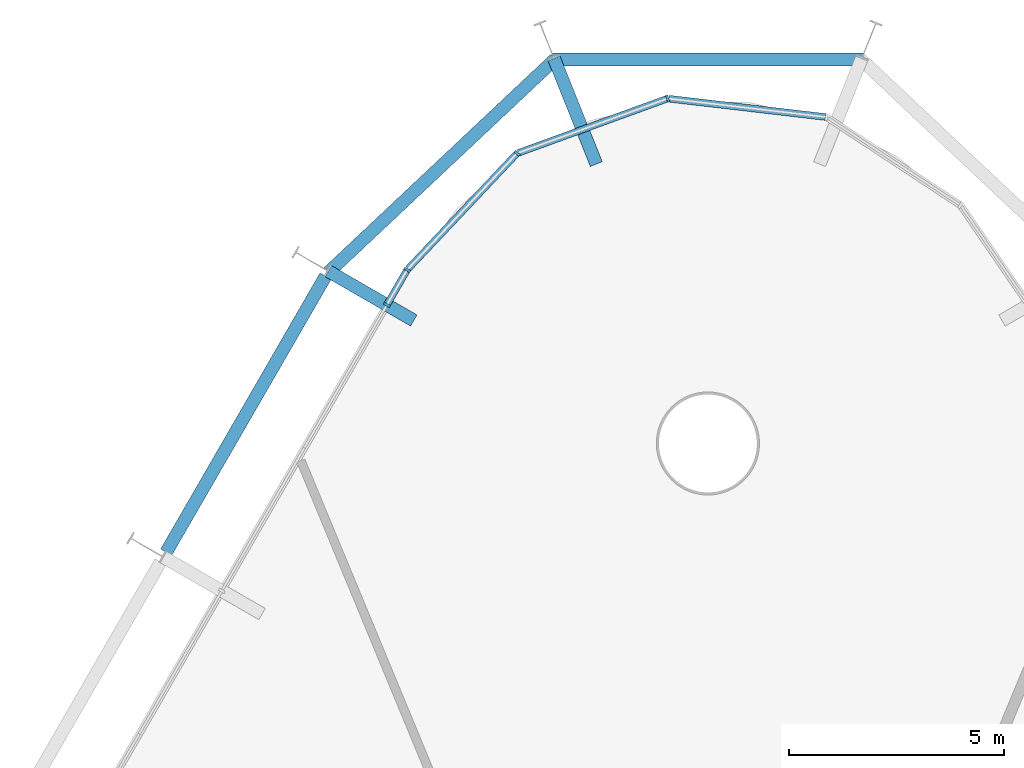
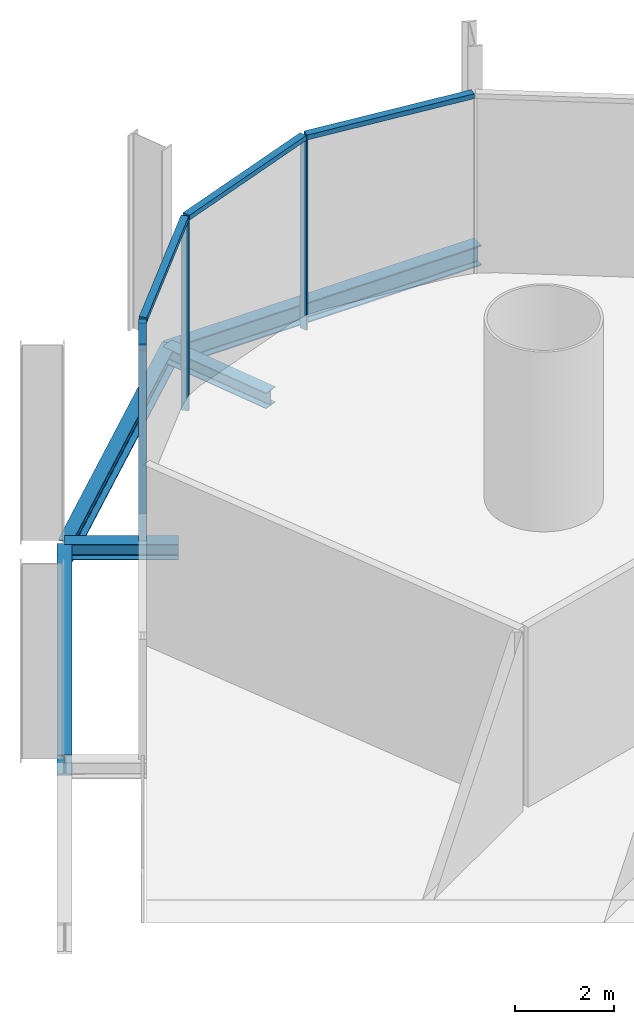
# One storey, part 9 of 17: 8 members, 5 beams, 2 elements without a shape of their own.
"""IFC4 building model written with IfcOpenShell, lengths in metres."""

from ifc_helpers import new_model, si_unit, direction, frame, origin, origin_2d, place, context, subcontext, project, spatial, rectangle, i_section, extrude, material, layer, layer_set, material_profile, profile_set, type_object, element, aggregate, save


model = new_model("IFC4")

# Units and contexts
model_context = context("Model", 3, precision=1e-05, world=origin(), true_north=direction((0.0, 1.0)))
body_context = subcontext(model_context, "Body", "Model", "MODEL_VIEW")
ifc_project = project(units=[si_unit("LENGTHUNIT", "METRE"), si_unit("AREAUNIT", "SQUARE_METRE"), si_unit("VOLUMEUNIT", "CUBIC_METRE"), si_unit("PLANEANGLEUNIT", "RADIAN"), si_unit("MASSUNIT", "GRAM", prefix="KILO")], contexts=[model_context])

# Site, building, storey
site_placement = place(None, origin())
site = spatial("IfcSite", under=ifc_project, at=site_placement, CompositionType="ELEMENT")
building_placement = place(site_placement, origin())
building = spatial("IfcBuilding", under=site, at=building_placement, Name="Spindle Arch Residences", CompositionType="ELEMENT")
storey_placement = place(building_placement, frame((0.0, 0.0, 13.800048828125)))
storey = spatial("IfcBuildingStorey", under=building, at=storey_placement, Name="L02", CompositionType="ELEMENT", Elevation=13.800048828125)

# Curtain wall, members
ifc_material_1 = material(Name="Aluminium bronze unitised frame with tinted glass", Category="aluminium")
ifc_layer_1 = layer(ifc_material_1, 0.159912109375)
ifc_layer_set_1 = layer_set([ifc_layer_1], Name="CW-D corner wall on the fillet arcs")
curtain_wall_type_1 = type_object("IfcCurtainWallType", Name="CW-D corner wall on the fillet arcs", PredefinedType="NOTDEFINED", material=ifc_layer_set_1)
curtain_wall_1_placement = place(storey_placement, origin())
curtain_wall_1 = element("IfcCurtainWall", 1, at=curtain_wall_1_placement, inside=storey, type_object=curtain_wall_type_1, Name="CW-D L02 run 3", PredefinedType="NOTDEFINED")
ifc_material_2 = material(Name="Aluminium bronze anodised mullion", Category="aluminium")
ifc_material_profile_1 = material_profile(ifc_material_2, rectangle(XDim=0.159912109375, YDim=0.06005859375, at=origin_2d()), Name="MU 60x160")
ifc_profile_set_1 = profile_set([ifc_material_profile_1], Name="Aluminium bronze anodised mullion")
member_type_1 = type_object("IfcMemberType", Name="Bronze mullion 60x160", PredefinedType="MULLION", material=ifc_profile_set_1)
member_1_placement = place(storey_placement, frame((-0.93798828125, 31.28515625, -0.380126953125), z_axis=(0.0, 0.0, 1.0), x_axis=(0.342020141538, -0.939692621437, 0.0)))
member_1 = element("IfcMember", 2, at=member_1_placement, type_object=member_type_1, Name="CW-D mullion 03", PredefinedType="MULLION", context=body_context, shape_type="SweptSolid", body=[
    extrude(rectangle(XDim=0.159912109375, YDim=0.06005859375, at=origin_2d()), origin(), (0.0, 0.0, 1.0), 4.68017578125),
])
member_2_placement = place(storey_placement, frame((-4.43994140625, 30.010498046875, -0.380126953125), z_axis=(0.0, 0.0, 1.0), x_axis=(0.727373640284, -0.686241639236, 0.0)))
member_2 = element("IfcMember", 3, at=member_2_placement, type_object=member_type_1, Name="CW-D mullion 04", PredefinedType="MULLION", context=body_context, shape_type="SweptSolid", body=[
    extrude(rectangle(XDim=0.159912109375, YDim=0.06005859375, at=origin_2d()), origin(), (0.0, 0.0, 1.0), 4.68017578125),
])
member_3_placement = place(storey_placement, frame((-6.99755859375, 27.2998046875, -0.380126953125), z_axis=(0.0, 0.0, 1.0), x_axis=(0.866025403784, -0.5, 0.0)))
member_3 = element("IfcMember", 4, at=member_3_placement, type_object=member_type_1, Name="CW-D mullion 05", PredefinedType="MULLION", context=body_context, shape_type="SweptSolid", body=[
    extrude(rectangle(XDim=0.159912109375, YDim=0.06005859375, at=origin_2d()), origin(), (0.0, 0.0, 1.0), 4.68017578125),
])

# Curtain wall, member
ifc_material_3 = material(Name="Aluminium bronze unitised frame with tinted glass", Category="aluminium")
ifc_layer_2 = layer(ifc_material_3, 0.159912109375)
ifc_layer_set_2 = layer_set([ifc_layer_2], Name="CW-B amenity podium glazed wall")
curtain_wall_type_2 = type_object("IfcCurtainWallType", Name="CW-B amenity podium glazed wall", PredefinedType="NOTDEFINED", material=ifc_layer_set_2)
curtain_wall_2_placement = place(storey_placement, origin())
curtain_wall_2 = element("IfcCurtainWall", 5, at=curtain_wall_2_placement, inside=storey, type_object=curtain_wall_type_2, Name="CW-B L02 run 4", PredefinedType="NOTDEFINED")
member_4_placement = place(storey_placement, frame((-7.46923828125, 26.48291015625, -0.380126953125), z_axis=(0.0, 0.0, 1.0), x_axis=(0.866025403784, -0.5, 0.0)))
member_4 = element("IfcMember", 6, at=member_4_placement, type_object=member_type_1, Name="CW-B mullion 13", PredefinedType="MULLION", context=body_context, shape_type="SweptSolid", body=[
    extrude(rectangle(XDim=0.159912109375, YDim=0.06005859375, at=origin_2d()), origin(), (0.0, 0.0, 1.0), 4.68017578125),
])
aggregate(curtain_wall_2, [member_4])

# Member
ifc_material_4 = material(Name="Aluminium bronze anodised transom", Category="aluminium")
ifc_material_profile_2 = material_profile(ifc_material_4, rectangle(XDim=0.159912109375, YDim=0.1201171875, at=origin_2d()), Name="TR 120x160")
ifc_profile_set_2 = profile_set([ifc_material_profile_2], Name="Aluminium bronze anodised transom")
member_type_2 = type_object("IfcMemberType", Name="Bronze transom 120x160", PredefinedType="USERDEFINED", material=ifc_profile_set_2)
member_5_placement = place(storey_placement, frame((2.733642578125, 30.85595703125, 4.35986328125), z_axis=(-0.993234881174, 0.116122654204, 0.0), x_axis=(-0.116122654204, -0.993234881174, 0.0)))
member_5 = element("IfcMember", 7, at=member_5_placement, type_object=member_type_2, Name="CW-D transom 02", ObjectType="TRANSOM", PredefinedType="USERDEFINED", context=body_context, shape_type="SweptSolid", body=[
    extrude(rectangle(XDim=0.159912109375, YDim=0.1201171875, at=origin_2d()), origin(), (0.0, 0.0, 1.0), 3.666748046875),
])

member_6_placement = place(storey_placement, frame((-0.96630859375, 31.27490234375, 4.35986328125), z_axis=(-0.939686455819, -0.342037080957, 0.0), x_axis=(0.342037080957, -0.939686455819, 0.0)))
member_6 = element("IfcMember", 8, at=member_6_placement, type_object=member_type_2, Name="CW-D transom 03", ObjectType="TRANSOM", PredefinedType="USERDEFINED", context=body_context, shape_type="SweptSolid", body=[
    extrude(rectangle(XDim=0.159912109375, YDim=0.1201171875, at=origin_2d()), origin(), (0.0, 0.0, 1.0), 3.666748046875),
])

member_7_placement = place(storey_placement, frame((-4.460693359375, 29.98876953125, 4.35986328125), z_axis=(-0.686199156324, -0.727413718498, 0.0), x_axis=(0.727413718498, -0.686199156324, 0.0)))
member_7 = element("IfcMember", 9, at=member_7_placement, type_object=member_type_2, Name="CW-D transom 04", ObjectType="TRANSOM", PredefinedType="USERDEFINED", context=body_context, shape_type="SweptSolid", body=[
    extrude(rectangle(XDim=0.159912109375, YDim=0.1201171875, at=origin_2d()), origin(), (0.0, 0.0, 1.0), 3.666748046875),
])

member_8_placement = place(storey_placement, frame((-7.012451171875, 27.27392578125, 4.35986328125), z_axis=(-0.499913830031, -0.866075148324, 0.0), x_axis=(0.866075148324, -0.499913830031, 0.0)))
member_8 = element("IfcMember", 10, at=member_8_placement, type_object=member_type_2, Name="CW-D transom 05", ObjectType="TRANSOM", PredefinedType="USERDEFINED", context=body_context, shape_type="SweptSolid", body=[
    extrude(rectangle(XDim=0.159912109375, YDim=0.1201171875, at=origin_2d()), origin(), (0.0, 0.0, 1.0), 0.883544921875),
])

aggregate(curtain_wall_1, [member_5, member_1, member_6, member_2, member_7, member_3, member_8])

# Beams
ifc_material_5 = material(Name="Steel S460ML, intumescent coating R 120", Category="steel")
ifc_material_profile_3 = material_profile(ifc_material_5, i_section(OverallWidth=0.300048828125, OverallDepth=0.5, WebThickness=0.014404296875, FlangeThickness=0.028076171875, FilletRadius=0.027099609375, at=origin_2d()), Name="HEB 500")
ifc_profile_set_3 = profile_set([ifc_material_profile_3], Name="Steel S460ML, intumescent coating R 120")
beam_type_1 = type_object("IfcBeamType", Name="Exoskeleton edge beam HEB 500", PredefinedType="BEAM", material=ifc_profile_set_3)
beam_1_placement = place(storey_placement, frame((3.6181640625, 32.188720703125, -0.630126953125), z_axis=(-1.0, 0.0, 0.0), x_axis=(0.0, -1.0, 0.0)))
element("IfcBeam", 11, at=beam_1_placement, inside=storey, type_object=beam_type_1, Name="Exoskeleton edge beam 12", PredefinedType="BEAM", context=body_context, shape_type="SweptSolid", body=[
    extrude(i_section(OverallWidth=0.300048828125, OverallDepth=0.5, WebThickness=0.014404296875, FlangeThickness=0.028076171875, FilletRadius=0.027099609375, at=origin_2d()), origin(), (0.0, 0.0, 1.0), 7.236328125),
])
beam_2_placement = place(storey_placement, frame((-3.54833984375, 32.20947265625, -0.630126953125), z_axis=(-0.728377909202, -0.685175613538, 0.0), x_axis=(0.685175613538, -0.728377909202, 0.0)))
element("IfcBeam", 12, at=beam_2_placement, inside=storey, type_object=beam_type_1, Name="Exoskeleton edge beam 13", PredefinedType="BEAM", context=body_context, shape_type="SweptSolid", body=[
    extrude(i_section(OverallWidth=0.300048828125, OverallDepth=0.5, WebThickness=0.014404296875, FlangeThickness=0.028076171875, FilletRadius=0.027099609375, at=origin_2d()), origin(), (0.0, 0.0, 1.0), 7.250244140625),
])
beam_3_placement = place(storey_placement, frame((-8.893798828125, 27.1552734375, -0.630126953125), z_axis=(-0.5000139068, -0.866017374541, 0.0), x_axis=(0.866017374541, -0.5000139068, 0.0)))
element("IfcBeam", 13, at=beam_3_placement, inside=storey, type_object=beam_type_1, Name="Exoskeleton edge beam 14", PredefinedType="BEAM", context=body_context, shape_type="SweptSolid", body=[
    extrude(i_section(OverallWidth=0.300048828125, OverallDepth=0.5, WebThickness=0.014404296875, FlangeThickness=0.028076171875, FilletRadius=0.027099609375, at=origin_2d()), origin(), (0.0, 0.0, 1.0), 7.420166015625),
])
ifc_material_6 = material(Name="Steel S460ML, intumescent coating R 120", Category="steel")
ifc_material_profile_4 = material_profile(ifc_material_6, i_section(OverallWidth=0.300048828125, OverallDepth=0.389892578125, WebThickness=0.010986328125, FlangeThickness=0.01904296875, FilletRadius=0.027099609375, at=origin_2d()), Name="HEA 400")
ifc_profile_set_4 = profile_set([ifc_material_profile_4], Name="Steel S460ML, intumescent coating R 120")
beam_type_2 = type_object("IfcBeamType", Name="Floor outrigger HEA 400", PredefinedType="BEAM", material=ifc_profile_set_4)
beam_4_placement = place(storey_placement, frame((-3.581298828125, 32.220703125, -0.574951171875), z_axis=(0.371104734129, -0.928591016706, 0.0), x_axis=(0.928591016706, 0.371104734129, 0.0)))
element("IfcBeam", 14, at=beam_4_placement, inside=storey, type_object=beam_type_2, Name="Floor outrigger 13", PredefinedType="BEAM", context=body_context, shape_type="SweptSolid", body=[
    extrude(i_section(OverallWidth=0.300048828125, OverallDepth=0.389892578125, WebThickness=0.010986328125, FlangeThickness=0.01904296875, FilletRadius=0.027099609375, at=origin_2d()), origin(), (0.0, 0.0, 1.0), 2.64990234375),
])
beam_5_placement = place(storey_placement, frame((-8.828857421875, 27.267822265625, -0.574951171875), z_axis=(0.866020755578, -0.500008050843, 0.0), x_axis=(0.500008050843, 0.866020755578, 0.0)))
element("IfcBeam", 15, at=beam_5_placement, inside=storey, type_object=beam_type_2, Name="Floor outrigger 14", PredefinedType="BEAM", context=body_context, shape_type="SweptSolid", body=[
    extrude(i_section(OverallWidth=0.300048828125, OverallDepth=0.389892578125, WebThickness=0.010986328125, FlangeThickness=0.01904296875, FilletRadius=0.027099609375, at=origin_2d()), origin(), (0.0, 0.0, 1.0), 2.2939453125),
])

save(model, "model.ifc")
